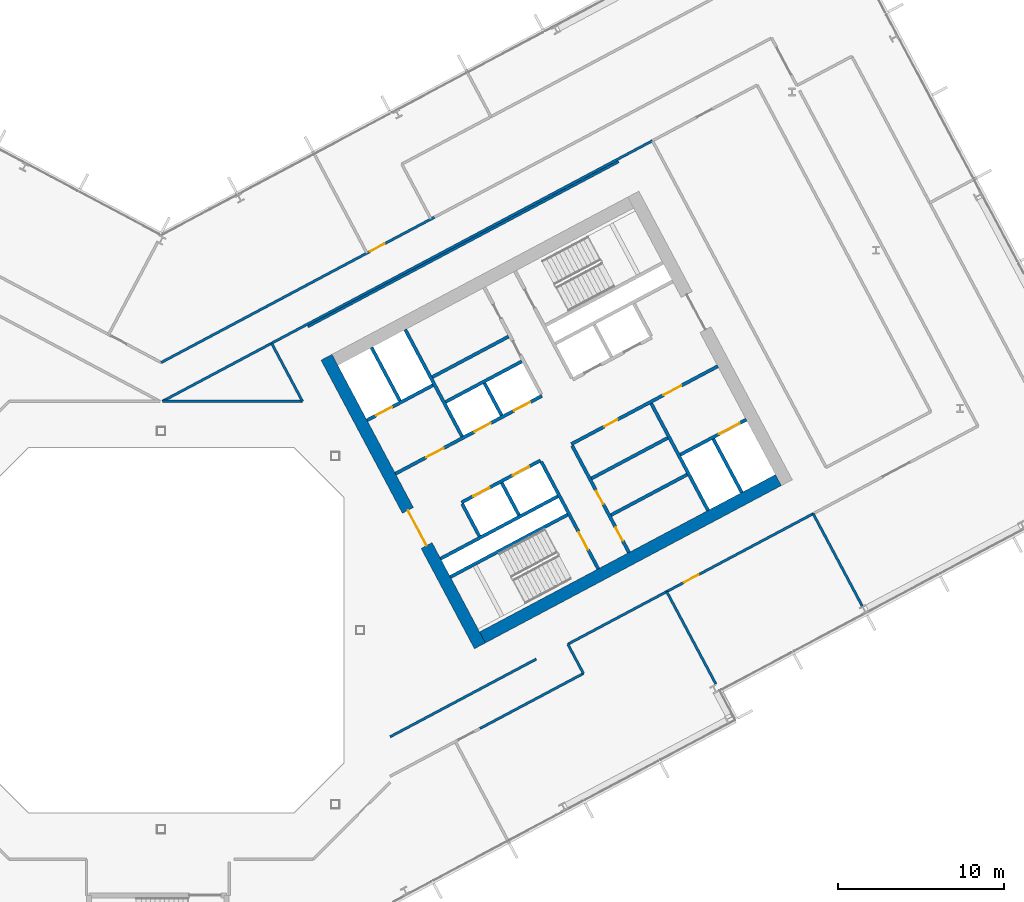
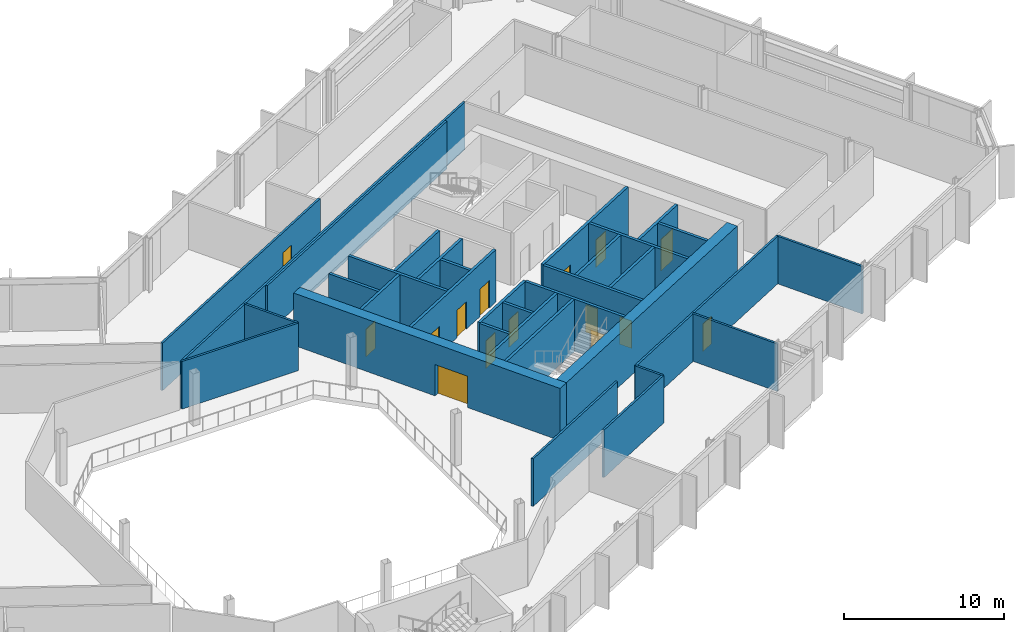
# One storey, part 16 of 28: 33 walls, 15 doors, 15 openings.
"""IFC4 building model written with IfcOpenShell, lengths in metres."""

from ifc_helpers import new_model, si_unit, direction, frame, frame_2d, origin, place, context, subcontext, project, spatial, rectangle, extrude, material, layer, layer_set, type_object, element, fill, save


model = new_model("IFC4")

# Units and contexts
model_context = context("Model", 3, precision=1e-05, world=origin(), true_north=direction((0.0, 1.0)))
body_context = subcontext(model_context, "Body", "Model", "MODEL_VIEW")
ifc_project = project(units=[si_unit("LENGTHUNIT", "METRE"), si_unit("AREAUNIT", "SQUARE_METRE"), si_unit("VOLUMEUNIT", "CUBIC_METRE"), si_unit("PLANEANGLEUNIT", "RADIAN"), si_unit("MASSUNIT", "GRAM", prefix="KILO")], contexts=[model_context])

# Site, building, storey
site_placement = place(None, origin())
site = spatial("IfcSite", under=ifc_project, at=site_placement, CompositionType="ELEMENT")
building_placement = place(site_placement, origin())
building = spatial("IfcBuilding", under=site, at=building_placement, Name="Cormorant Relay Tower", CompositionType="ELEMENT")
storey_placement = place(building_placement, frame((0.0, 0.0, 138.199951171875)))
storey = spatial("IfcBuildingStorey", under=building, at=storey_placement, Name="L28", CompositionType="ELEMENT", Elevation=138.199951171875)

# Walls
ifc_material_1 = material(Name="Concrete 40 MPa", Category="concrete")
ifc_layer_1 = layer(ifc_material_1, 0.199951171875)
ifc_layer_set_1 = layer_set([ifc_layer_1], Name="Core internal wall 200")
wall_type_1 = type_object("IfcWallType", Name="Core internal wall 200", PredefinedType="SOLIDWALL", material=ifc_layer_set_1)
for number, where, z_axis, x_axis, name in (
    (1, (21.567626953125, 6.9375, 0.0), (0.0, 0.0, 1.0), (-0.469533832133, 0.882914480843, 0.0), "L28 core B shaft and room wall"),
    (2, (20.522216796875, 12.950439453125, 0.0), (0.0, 0.0, 1.0), (-0.469401318492, 0.882984938828, 0.0), "L28 core B shaft and room wall"),
):
    element("IfcWall", number, at=place(storey_placement, frame(where, z_axis=z_axis, x_axis=x_axis)), inside=storey, type_object=wall_type_1, Name=name, PredefinedType="SOLIDWALL", context=body_context, shape_type="SweptSolid", body=[
        extrude(rectangle(XDim=2.199951171875, YDim=0.199951171875, at=frame_2d((1.10009765625, 0.0))), origin(), (0.0, 0.0, 1.0), 4.0),
    ])
for number, where, z_axis, x_axis, name in (
    (3, (27.11474609375, 6.942138671875, 0.0), (0.0, 0.0, 1.0), (0.882934506056, 0.469496174655, 0.0), "L28 core B shaft and room wall"),
    (4, (16.3486328125, 15.26171875, 0.0), (0.0, 0.0, 1.0), (0.882953967957, 0.469459572775, 0.0), "L28 core B shaft and room wall"),
):
    element("IfcWall", number, at=place(storey_placement, frame(where, z_axis=z_axis, x_axis=x_axis)), inside=storey, type_object=wall_type_1, Name=name, PredefinedType="SOLIDWALL", context=body_context, shape_type="SweptSolid", body=[
        extrude(rectangle(XDim=5.199951171875, YDim=0.199951171875, at=frame_2d((2.60009765625, 0.0))), origin(), (0.0, 0.0, 1.0), 4.0),
    ])
ifc_material_2 = material(Name="Concrete 50 MPa", Category="concrete")
ifc_layer_2 = layer(ifc_material_2, 0.199951171875)
ifc_layer_set_2 = layer_set([ifc_layer_2], Name="Core shaft wall 200")
wall_type_2 = type_object("IfcWallType", Name="Core shaft wall 200", PredefinedType="SHEAR", material=ifc_layer_set_2)
wall_1_placement = place(storey_placement, frame((14.39404296875, 13.825927734375, 0.0), z_axis=(0.0, 0.0, 1.0), x_axis=(-0.469494272526, 0.882935517501, 0.0)))
element("IfcWall", 5, at=wall_1_placement, inside=storey, type_object=wall_type_2, Name="L28 core B shaft wall", PredefinedType="SHEAR", context=body_context, shape_type="SweptSolid", body=[
    extrude(rectangle(XDim=3.64990234375, YDim=0.199951171875, at=frame_2d((1.824951171875, 0.0))), origin(), (0.0, 0.0, 1.0), 4.0),
])
wall_2_placement = place(storey_placement, frame((19.18359375, 5.669921875, 0.0), z_axis=(0.0, 0.0, 1.0), x_axis=(-0.4694473164, 0.882960484464, 0.0)))
element("IfcWall", 6, at=wall_2_placement, inside=storey, type_object=wall_type_2, Name="L28 core B shaft wall", PredefinedType="SHEAR", context=body_context, shape_type="SweptSolid", body=[
    extrude(rectangle(XDim=2.199951171875, YDim=0.199951171875, at=frame_2d((1.10009765625, 0.0))), origin(), (0.0, 0.0, 1.0), 4.0),
])
wall_3_placement = place(storey_placement, frame((18.138427734375, 11.682861328125, 0.0), z_axis=(0.0, 0.0, 1.0), x_axis=(-0.469480409012, 0.88294288918, 0.0)))
element("IfcWall", 7, at=wall_3_placement, inside=storey, type_object=wall_type_2, Name="L28 core B shaft wall", PredefinedType="SHEAR", context=body_context, shape_type="SweptSolid", body=[
    extrude(rectangle(XDim=7.300048828125, YDim=0.199951171875, at=frame_2d((3.64990234375, 0.0))), origin(), (0.0, 0.0, 1.0), 4.0),
])

# Wall, opening, door
wall_4_placement = place(storey_placement, frame((26.345947265625, 3.701904296875, 0.0), z_axis=(0.0, 0.0, 1.0), x_axis=(-0.469480409012, 0.88294288918, 0.0)))
wall_4 = element("IfcWall", 8, at=wall_4_placement, inside=storey, type_object=wall_type_2, Name="L28 core B shaft wall", PredefinedType="SHEAR", context=body_context, shape_type="SweptSolid", body=[
    extrude(rectangle(XDim=7.300048828125, YDim=0.199951171875, at=frame_2d((3.64990234375, 0.0))), origin(), (0.0, 0.0, 1.0), 4.0),
])
opening_1_placement = place(wall_4_placement, frame((1.300048828125, 0.0, 0.0)))
opening_1 = element("IfcOpeningElement", 9, at=opening_1_placement, cuts=wall_4, Name="Opening CDB-036", PredefinedType="OPENING", context=body_context, shape_type="SweptSolid", body=[
    extrude(rectangle(XDim=1.199951171875, YDim=2.10009765625, at=frame_2d((0.60009765625, 1.050048828125))), frame((0.0, 0.10986328125, 0.0), z_axis=(0.0, -1.0, 0.0), x_axis=(1.0, 0.0, 0.0)), (0.0, 0.0, 1.0), 0.219970703125),
])
ifc_material_3 = material(Name="Steel fire door", Category="steel")
door_type_1 = type_object("IfcDoorType", Name="Core stair door 1200x2100", OperationType="SINGLE_SWING_LEFT", PredefinedType="DOOR", material=ifc_material_3)
door_1_placement = place(opening_1_placement, origin())
door_1 = element("IfcDoor", 10, at=door_1_placement, inside=storey, type_object=door_type_1, Name="Core stair door 1200x2100", OperationType="SINGLE_SWING_RIGHT", OverallHeight=2.10009765625, OverallWidth=1.199951171875, PredefinedType="DOOR", context=body_context, shape_type="SweptSolid", body=[
    extrude(rectangle(XDim=1.199951171875, YDim=2.10009765625, at=frame_2d((0.60009765625, 1.050048828125))), frame((0.0, 0.02490234375, 0.0), z_axis=(0.0, -1.0, 0.0), x_axis=(1.0, 0.0, 0.0)), (0.0, 0.0, 1.0), 0.050048828125),
])
fill(opening_1, door_1)

# Wall, openings, doors
wall_5_placement = place(storey_placement, frame((28.199951171875, 4.687744140625, 0.0), z_axis=(0.0, 0.0, 1.0), x_axis=(-0.469454336211, 0.882956752176, 0.0)))
wall_5 = element("IfcWall", 11, at=wall_5_placement, inside=storey, type_object=wall_type_2, Name="L28 core B shaft wall", PredefinedType="SHEAR", context=body_context, shape_type="SweptSolid", body=[
    extrude(rectangle(XDim=7.300048828125, YDim=0.199951171875, at=frame_2d((3.64990234375, 0.0))), origin(), (0.0, 0.0, 1.0), 4.0),
])
opening_2_placement = place(wall_5_placement, frame((0.800048828125, 0.0, 0.0)))
opening_2 = element("IfcOpeningElement", 12, at=opening_2_placement, cuts=wall_5, Name="Opening CDD-194", PredefinedType="OPENING", context=body_context, shape_type="SweptSolid", body=[
    extrude(rectangle(XDim=0.89990234375, YDim=2.10009765625, at=frame_2d((0.449951171875, 1.050048828125))), frame((0.0, 0.10986328125, 0.0), z_axis=(0.0, -1.0, 0.0), x_axis=(1.0, 0.0, 0.0)), (0.0, 0.0, 1.0), 0.219970703125),
])
opening_3_placement = place(wall_5_placement, frame((3.300048828125, 0.0, 0.0)))
opening_3 = element("IfcOpeningElement", 13, at=opening_3_placement, cuts=wall_5, Name="Opening CDD-195", PredefinedType="OPENING", context=body_context, shape_type="SweptSolid", body=[
    extrude(rectangle(XDim=0.89990234375, YDim=2.10009765625, at=frame_2d((0.449951171875, 1.050048828125))), frame((0.0, 0.10986328125, 0.0), z_axis=(0.0, -1.0, 0.0), x_axis=(1.0, 0.0, 0.0)), (0.0, 0.0, 1.0), 0.219970703125),
])
ifc_material_4 = material(Name="Steel fire door", Category="steel")
door_type_2 = type_object("IfcDoorType", Name="Core room door 900x2100", OperationType="SINGLE_SWING_LEFT", PredefinedType="DOOR", material=ifc_material_4)
door_2_placement = place(opening_2_placement, frame((0.89990234375, 0.0, 0.0), z_axis=(0.0, 0.0, 1.0), x_axis=(-1.0, 0.0, 0.0)))
door_2 = element("IfcDoor", 14, at=door_2_placement, inside=storey, type_object=door_type_2, Name="Core room door 900x2100", OperationType="SINGLE_SWING_LEFT", OverallHeight=2.10009765625, OverallWidth=0.89990234375, PredefinedType="DOOR", context=body_context, shape_type="SweptSolid", body=[
    extrude(rectangle(XDim=0.89990234375, YDim=2.10009765625, at=frame_2d((0.449951171875, 1.050048828125))), frame((0.0, 0.02490234375, 0.0), z_axis=(0.0, -1.0, 0.0), x_axis=(1.0, 0.0, 0.0)), (0.0, 0.0, 1.0), 0.050048828125),
])
fill(opening_2, door_2)
door_3_placement = place(opening_3_placement, frame((0.89990234375, 0.0, 0.0), z_axis=(0.0, 0.0, 1.0), x_axis=(-1.0, 0.0, 0.0)))
door_3 = element("IfcDoor", 15, at=door_3_placement, inside=storey, type_object=door_type_2, Name="Core room door 900x2100", OperationType="SINGLE_SWING_LEFT", OverallHeight=2.10009765625, OverallWidth=0.89990234375, PredefinedType="DOOR", context=body_context, shape_type="SweptSolid", body=[
    extrude(rectangle(XDim=0.89990234375, YDim=2.10009765625, at=frame_2d((0.449951171875, 1.050048828125))), frame((0.0, 0.02490234375, 0.0), z_axis=(0.0, -1.0, 0.0), x_axis=(1.0, 0.0, 0.0)), (0.0, 0.0, 1.0), 0.050048828125),
])
fill(opening_3, door_3)

# Walls
wall_6_placement = place(storey_placement, frame((32.968017578125, 7.222900390625, 0.0), z_axis=(0.0, 0.0, 1.0), x_axis=(-0.469480409012, 0.88294288918, 0.0)))
element("IfcWall", 16, at=wall_6_placement, inside=storey, type_object=wall_type_2, Name="L28 core B shaft wall", PredefinedType="SHEAR", context=body_context, shape_type="SweptSolid", body=[
    extrude(rectangle(XDim=7.300048828125, YDim=0.199951171875, at=frame_2d((3.64990234375, 0.0))), origin(), (0.0, 0.0, 1.0), 4.0),
])
wall_7_placement = place(storey_placement, frame((34.998779296875, 8.302734375, 0.0), z_axis=(0.0, 0.0, 1.0), x_axis=(-0.4694665462, 0.882950260207, 0.0)))
element("IfcWall", 17, at=wall_7_placement, inside=storey, type_object=wall_type_2, Name="L28 core B shaft wall", PredefinedType="SHEAR", context=body_context, shape_type="SweptSolid", body=[
    extrude(rectangle(XDim=3.650146484375, YDim=0.199951171875, at=frame_2d((1.8251953125, 0.0))), origin(), (0.0, 0.0, 1.0), 4.0),
])
wall_8_placement = place(storey_placement, frame((17.43359375, 3.210205078125, 0.0), z_axis=(0.0, 0.0, 1.0), x_axis=(0.882940221191, 0.469485426614, 0.0)))
element("IfcWall", 18, at=wall_8_placement, inside=storey, type_object=wall_type_2, Name="L28 core B shaft wall", PredefinedType="SHEAR", context=body_context, shape_type="SweptSolid", body=[
    extrude(rectangle(XDim=8.0, YDim=0.199951171875, at=frame_2d((4.0, 0.0))), origin(), (0.0, 0.0, 1.0), 4.0),
])

# Wall, opening, door
wall_9_placement = place(storey_placement, frame((31.295654296875, 10.5810546875, 0.0), z_axis=(0.0, 0.0, 1.0), x_axis=(0.882960433586, 0.469447412093, 0.0)))
wall_9 = element("IfcWall", 19, at=wall_9_placement, inside=storey, type_object=wall_type_2, Name="L28 core B shaft wall", PredefinedType="SHEAR", context=body_context, shape_type="SweptSolid", body=[
    extrude(rectangle(XDim=4.5, YDim=0.199951171875, at=frame_2d((2.25, 0.0))), origin(), (0.0, 0.0, 1.0), 4.0),
])
opening_4_placement = place(wall_9_placement, frame((2.64990234375, 0.0, 0.0)))
opening_4 = element("IfcOpeningElement", 20, at=opening_4_placement, cuts=wall_9, Name="Opening LD3-014", PredefinedType="OPENING", context=body_context, shape_type="SweptSolid", body=[
    extrude(rectangle(XDim=1.39990234375, YDim=2.39990234375, at=frame_2d((0.699951171875, 1.199951171875))), frame((0.0, 0.10986328125, 0.0), z_axis=(0.0, -1.0, 0.0), x_axis=(1.0, 0.0, 0.0)), (0.0, 0.0, 1.0), 0.219970703125),
])
ifc_material_5 = material(Name="Stainless steel 316", Category="steel")
door_type_3 = type_object("IfcDoorType", Name="Lift landing door 1400x2400", OperationType="DOUBLE_DOOR_SLIDING", PredefinedType="DOOR", material=ifc_material_5)
door_4_placement = place(opening_4_placement, origin())
door_4 = element("IfcDoor", 21, at=door_4_placement, inside=storey, type_object=door_type_3, Name="SV2 landing door", OperationType="DOUBLE_DOOR_SLIDING", OverallHeight=2.39990234375, OverallWidth=1.39990234375, PredefinedType="DOOR", context=body_context, shape_type="SweptSolid", body=[
    extrude(rectangle(XDim=1.39990234375, YDim=2.39990234375, at=frame_2d((0.699951171875, 1.199951171875))), frame((0.0, 0.02490234375, 0.0), z_axis=(0.0, -1.0, 0.0), x_axis=(1.0, 0.0, 0.0)), (0.0, 0.0, 1.0), 0.050048828125),
])
fill(opening_4, door_4)

# Walls
wall_10_placement = place(storey_placement, frame((16.8466796875, 4.31396484375, 0.0), z_axis=(0.0, 0.0, 1.0), x_axis=(0.882940221191, 0.469485426614, 0.0)))
element("IfcWall", 22, at=wall_10_placement, inside=storey, type_object=wall_type_2, Name="L28 core B shaft wall", PredefinedType="SHEAR", context=body_context, shape_type="SweptSolid", body=[
    extrude(rectangle(XDim=8.0, YDim=0.199951171875, at=frame_2d((4.0, 0.0))), origin(), (0.0, 0.0, 1.0), 4.0),
])
wall_11_placement = place(storey_placement, frame((25.94091796875, 9.149658203125, 0.0), z_axis=(0.0, 0.0, 1.0), x_axis=(0.882953967957, 0.469459572775, 0.0)))
element("IfcWall", 23, at=wall_11_placement, inside=storey, type_object=wall_type_2, Name="L28 core B shaft wall", PredefinedType="SHEAR", context=body_context, shape_type="SweptSolid", body=[
    extrude(rectangle(XDim=5.199951171875, YDim=0.199951171875, at=frame_2d((2.60009765625, 0.0))), origin(), (0.0, 0.0, 1.0), 4.0),
])

# Wall, openings, doors
wall_12_placement = place(storey_placement, frame((18.103759765625, 7.70068359375, 0.0), z_axis=(0.0, 0.0, 1.0), x_axis=(0.882952937579, 0.469461510692, 0.0)))
wall_12 = element("IfcWall", 24, at=wall_12_placement, inside=storey, type_object=wall_type_2, Name="L28 core B shaft wall", PredefinedType="SHEAR", context=body_context, shape_type="SweptSolid", body=[
    extrude(rectangle(XDim=5.400146484375, YDim=0.199951171875, at=frame_2d((2.7001953125, 0.0))), origin(), (0.0, 0.0, 1.0), 4.0),
])
opening_5_placement = place(wall_12_placement, frame((0.800048828125, 0.0, 0.0)))
opening_5 = element("IfcOpeningElement", 25, at=opening_5_placement, cuts=wall_12, Name="Opening LD1-048", PredefinedType="OPENING", context=body_context, shape_type="SweptSolid", body=[
    extrude(rectangle(XDim=1.10009765625, YDim=2.10009765625, at=frame_2d((0.550048828125, 1.050048828125))), frame((0.0, 0.10986328125, 0.0), z_axis=(0.0, -1.0, 0.0), x_axis=(1.0, 0.0, 0.0)), (0.0, 0.0, 1.0), 0.219970703125),
])
opening_6_placement = place(wall_12_placement, frame((3.5, 0.0, 0.0)))
opening_6 = element("IfcOpeningElement", 26, at=opening_6_placement, cuts=wall_12, Name="Opening LD1-049", PredefinedType="OPENING", context=body_context, shape_type="SweptSolid", body=[
    extrude(rectangle(XDim=1.10009765625, YDim=2.10009765625, at=frame_2d((0.550048828125, 1.050048828125))), frame((0.0, 0.10986328125, 0.0), z_axis=(0.0, -1.0, 0.0), x_axis=(1.0, 0.0, 0.0)), (0.0, 0.0, 1.0), 0.219970703125),
])
ifc_material_6 = material(Name="Stainless steel 316", Category="steel")
door_type_4 = type_object("IfcDoorType", Name="Lift landing door 1100x2100", OperationType="DOUBLE_DOOR_SLIDING", PredefinedType="DOOR", material=ifc_material_6)
door_5_placement = place(opening_5_placement, origin())
door_5 = element("IfcDoor", 27, at=door_5_placement, inside=storey, type_object=door_type_4, Name="LR5 landing door", OperationType="DOUBLE_DOOR_SLIDING", OverallHeight=2.10009765625, OverallWidth=1.10009765625, PredefinedType="DOOR", context=body_context, shape_type="SweptSolid", body=[
    extrude(rectangle(XDim=1.10009765625, YDim=2.10009765625, at=frame_2d((0.550048828125, 1.050048828125))), frame((0.0, 0.02490234375, 0.0), z_axis=(0.0, -1.0, 0.0), x_axis=(1.0, 0.0, 0.0)), (0.0, 0.0, 1.0), 0.050048828125),
])
fill(opening_5, door_5)
door_6_placement = place(opening_6_placement, origin())
door_6 = element("IfcDoor", 28, at=door_6_placement, inside=storey, type_object=door_type_4, Name="LR6 landing door", OperationType="DOUBLE_DOOR_SLIDING", OverallHeight=2.10009765625, OverallWidth=1.10009765625, PredefinedType="DOOR", context=body_context, shape_type="SweptSolid", body=[
    extrude(rectangle(XDim=1.10009765625, YDim=2.10009765625, at=frame_2d((0.550048828125, 1.050048828125))), frame((0.0, 0.02490234375, 0.0), z_axis=(0.0, -1.0, 0.0), x_axis=(1.0, 0.0, 0.0)), (0.0, 0.0, 1.0), 0.050048828125),
])
fill(opening_6, door_6)

wall_13_placement = place(storey_placement, frame((24.72607421875, 11.2216796875, 0.0), z_axis=(0.0, 0.0, 1.0), x_axis=(0.882940221191, 0.469485426614, 0.0)))
wall_13 = element("IfcWall", 29, at=wall_13_placement, inside=storey, type_object=wall_type_2, Name="L28 core B shaft wall", PredefinedType="SHEAR", context=body_context, shape_type="SweptSolid", body=[
    extrude(rectangle(XDim=10.0, YDim=0.199951171875, at=frame_2d((5.0, 0.0))), origin(), (0.0, 0.0, 1.0), 4.0),
])
opening_7_placement = place(wall_13_placement, frame((6.300048828125, 0.0, 0.0)))
opening_7 = element("IfcOpeningElement", 30, at=opening_7_placement, cuts=wall_13, Name="Opening CDC-030", PredefinedType="OPENING", context=body_context, shape_type="SweptSolid", body=[
    extrude(rectangle(XDim=1.199951171875, YDim=2.10009765625, at=frame_2d((0.60009765625, 1.050048828125))), frame((0.0, 0.10986328125, 0.0), z_axis=(0.0, -1.0, 0.0), x_axis=(1.0, 0.0, 0.0)), (0.0, 0.0, 1.0), 0.219970703125),
])
opening_8_placement = place(wall_13_placement, frame((2.25, 0.0, 0.0)))
opening_8 = element("IfcOpeningElement", 31, at=opening_8_placement, cuts=wall_13, Name="Opening CDD-191", PredefinedType="OPENING", context=body_context, shape_type="SweptSolid", body=[
    extrude(rectangle(XDim=0.89990234375, YDim=2.10009765625, at=frame_2d((0.449951171875, 1.050048828125))), frame((0.0, 0.10986328125, 0.0), z_axis=(0.0, -1.0, 0.0), x_axis=(1.0, 0.0, 0.0)), (0.0, 0.0, 1.0), 0.219970703125),
])
ifc_material_7 = material(Name="Steel fire door", Category="steel")
door_type_5 = type_object("IfcDoorType", Name="Core lobby door 1200x2100", OperationType="SINGLE_SWING_LEFT", PredefinedType="DOOR", material=ifc_material_7)
door_7_placement = place(opening_7_placement, origin())
door_7 = element("IfcDoor", 32, at=door_7_placement, inside=storey, type_object=door_type_5, Name="Core lobby door 1200x2100", OperationType="SINGLE_SWING_LEFT", OverallHeight=2.10009765625, OverallWidth=1.199951171875, PredefinedType="DOOR", context=body_context, shape_type="SweptSolid", body=[
    extrude(rectangle(XDim=1.199951171875, YDim=2.10009765625, at=frame_2d((0.60009765625, 1.050048828125))), frame((0.0, 0.02490234375, 0.0), z_axis=(0.0, -1.0, 0.0), x_axis=(1.0, 0.0, 0.0)), (0.0, 0.0, 1.0), 0.050048828125),
])
fill(opening_7, door_7)
door_8_placement = place(opening_8_placement, origin())
door_8 = element("IfcDoor", 33, at=door_8_placement, inside=storey, type_object=door_type_2, Name="Core room door 900x2100", OperationType="SINGLE_SWING_LEFT", OverallHeight=2.10009765625, OverallWidth=0.89990234375, PredefinedType="DOOR", context=body_context, shape_type="SweptSolid", body=[
    extrude(rectangle(XDim=0.89990234375, YDim=2.10009765625, at=frame_2d((0.449951171875, 1.050048828125))), frame((0.0, 0.02490234375, 0.0), z_axis=(0.0, -1.0, 0.0), x_axis=(1.0, 0.0, 0.0)), (0.0, 0.0, 1.0), 0.050048828125),
])
fill(opening_8, door_8)

wall_14_placement = place(storey_placement, frame((14.123779296875, 9.43505859375, 0.0), z_axis=(0.0, 0.0, 1.0), x_axis=(0.882940221191, 0.469485426614, 0.0)))
wall_14 = element("IfcWall", 34, at=wall_14_placement, inside=storey, type_object=wall_type_2, Name="L28 core B shaft wall", PredefinedType="SHEAR", context=body_context, shape_type="SweptSolid", body=[
    extrude(rectangle(XDim=10.0, YDim=0.199951171875, at=frame_2d((5.0, 0.0))), origin(), (0.0, 0.0, 1.0), 4.0),
])
opening_9_placement = place(wall_14_placement, frame((2.10009765625, 0.0, 0.0)))
opening_9 = element("IfcOpeningElement", 35, at=opening_9_placement, cuts=wall_14, Name="Opening CDC-027", PredefinedType="OPENING", context=body_context, shape_type="SweptSolid", body=[
    extrude(rectangle(XDim=1.199951171875, YDim=2.10009765625, at=frame_2d((0.60009765625, 1.050048828125))), frame((0.0, 0.10986328125, 0.0), z_axis=(0.0, -1.0, 0.0), x_axis=(1.0, 0.0, 0.0)), (0.0, 0.0, 1.0), 0.219970703125),
])
opening_10_placement = place(wall_14_placement, frame((5.39990234375, 0.0, 0.0)))
opening_10 = element("IfcOpeningElement", 36, at=opening_10_placement, cuts=wall_14, Name="Opening LD1-044", PredefinedType="OPENING", context=body_context, shape_type="SweptSolid", body=[
    extrude(rectangle(XDim=1.10009765625, YDim=2.10009765625, at=frame_2d((0.550048828125, 1.050048828125))), frame((0.0, 0.10986328125, 0.0), z_axis=(0.0, -1.0, 0.0), x_axis=(1.0, 0.0, 0.0)), (0.0, 0.0, 1.0), 0.219970703125),
])
opening_11_placement = place(wall_14_placement, frame((8.10009765625, 0.0, 0.0)))
opening_11 = element("IfcOpeningElement", 37, at=opening_11_placement, cuts=wall_14, Name="Opening LD1-045", PredefinedType="OPENING", context=body_context, shape_type="SweptSolid", body=[
    extrude(rectangle(XDim=1.10009765625, YDim=2.10009765625, at=frame_2d((0.550048828125, 1.050048828125))), frame((0.0, 0.10986328125, 0.0), z_axis=(0.0, -1.0, 0.0), x_axis=(1.0, 0.0, 0.0)), (0.0, 0.0, 1.0), 0.219970703125),
])
door_9_placement = place(opening_9_placement, origin())
door_9 = element("IfcDoor", 38, at=door_9_placement, inside=storey, type_object=door_type_5, Name="Core lobby door 1200x2100", OperationType="SINGLE_SWING_RIGHT", OverallHeight=2.10009765625, OverallWidth=1.199951171875, PredefinedType="DOOR", context=body_context, shape_type="SweptSolid", body=[
    extrude(rectangle(XDim=1.199951171875, YDim=2.10009765625, at=frame_2d((0.60009765625, 1.050048828125))), frame((0.0, 0.02490234375, 0.0), z_axis=(0.0, -1.0, 0.0), x_axis=(1.0, 0.0, 0.0)), (0.0, 0.0, 1.0), 0.050048828125),
])
fill(opening_9, door_9)
door_10_placement = place(opening_10_placement, origin())
door_10 = element("IfcDoor", 39, at=door_10_placement, inside=storey, type_object=door_type_4, Name="LR1 landing door", OperationType="DOUBLE_DOOR_SLIDING", OverallHeight=2.10009765625, OverallWidth=1.10009765625, PredefinedType="DOOR", context=body_context, shape_type="SweptSolid", body=[
    extrude(rectangle(XDim=1.10009765625, YDim=2.10009765625, at=frame_2d((0.550048828125, 1.050048828125))), frame((0.0, 0.02490234375, 0.0), z_axis=(0.0, -1.0, 0.0), x_axis=(1.0, 0.0, 0.0)), (0.0, 0.0, 1.0), 0.050048828125),
])
fill(opening_10, door_10)
door_11_placement = place(opening_11_placement, origin())
door_11 = element("IfcDoor", 40, at=door_11_placement, inside=storey, type_object=door_type_4, Name="LR2 landing door", OperationType="DOUBLE_DOOR_SLIDING", OverallHeight=2.10009765625, OverallWidth=1.10009765625, PredefinedType="DOOR", context=body_context, shape_type="SweptSolid", body=[
    extrude(rectangle(XDim=1.10009765625, YDim=2.10009765625, at=frame_2d((0.550048828125, 1.050048828125))), frame((0.0, 0.02490234375, 0.0), z_axis=(0.0, -1.0, 0.0), x_axis=(1.0, 0.0, 0.0)), (0.0, 0.0, 1.0), 0.050048828125),
])
fill(opening_11, door_11)

# Wall
wall_15_placement = place(storey_placement, frame((17.146728515625, 13.7607421875, 0.0), z_axis=(0.0, 0.0, 1.0), x_axis=(0.882964314875, 0.469440111896, 0.0)))
element("IfcWall", 41, at=wall_15_placement, inside=storey, type_object=wall_type_2, Name="L28 core B shaft wall", PredefinedType="SHEAR", context=body_context, shape_type="SweptSolid", body=[
    extrude(rectangle(XDim=5.2001953125, YDim=0.199951171875, at=frame_2d((2.60009765625, 0.0))), origin(), (0.0, 0.0, 1.0), 4.0),
])

# Wall, opening, door
wall_16_placement = place(storey_placement, frame((12.41015625, 12.657958984375, 0.0), z_axis=(0.0, 0.0, 1.0), x_axis=(0.8829484765, 0.469469900894, 0.0)))
wall_16 = element("IfcWall", 42, at=wall_16_placement, inside=storey, type_object=wall_type_2, Name="L28 core B shaft wall", PredefinedType="SHEAR", context=body_context, shape_type="SweptSolid", body=[
    extrude(rectangle(XDim=4.499755859375, YDim=0.199951171875, at=frame_2d((2.25, 0.0))), origin(), (0.0, 0.0, 1.0), 4.0),
])
opening_12_placement = place(wall_16_placement, frame((0.60009765625, 0.0, 0.0)))
opening_12 = element("IfcOpeningElement", 43, at=opening_12_placement, cuts=wall_16, Name="Opening LD1-050", PredefinedType="OPENING", context=body_context, shape_type="SweptSolid", body=[
    extrude(rectangle(XDim=1.10009765625, YDim=2.10009765625, at=frame_2d((0.550048828125, 1.050048828125))), frame((0.0, 0.10986328125, 0.0), z_axis=(0.0, -1.0, 0.0), x_axis=(1.0, 0.0, 0.0)), (0.0, 0.0, 1.0), 0.219970703125),
])
door_12_placement = place(opening_12_placement, origin())
door_12 = element("IfcDoor", 44, at=door_12_placement, inside=storey, type_object=door_type_4, Name="FF2 landing door", OperationType="DOUBLE_DOOR_SLIDING", OverallHeight=2.10009765625, OverallWidth=1.10009765625, PredefinedType="DOOR", context=body_context, shape_type="SweptSolid", body=[
    extrude(rectangle(XDim=1.10009765625, YDim=2.10009765625, at=frame_2d((0.550048828125, 1.050048828125))), frame((0.0, 0.02490234375, 0.0), z_axis=(0.0, -1.0, 0.0), x_axis=(1.0, 0.0, 0.0)), (0.0, 0.0, 1.0), 0.050048828125),
])
fill(opening_12, door_12)

ifc_material_8 = material(Name="Concrete 60 MPa", Category="concrete")
ifc_layer_3 = layer(ifc_material_8, 0.75)
ifc_layer_set_3 = layer_set([ifc_layer_3], Name="Core wall 750")
wall_type_3 = type_object("IfcWallType", Name="Core wall 750", PredefinedType="SHEAR", material=ifc_layer_set_3)
wall_17_placement = place(storey_placement, frame((19.215087890625, -0.93896484375, 0.0), z_axis=(0.0, 0.0, 1.0), x_axis=(-0.469479580143, 0.882943329908, 0.0)))
wall_17 = element("IfcWall", 45, at=wall_17_placement, inside=storey, type_object=wall_type_3, Name="L28 core B wall", PredefinedType="SHEAR", context=body_context, shape_type="SweptSolid", body=[
    extrude(rectangle(XDim=19.699951171875, YDim=0.75, at=frame_2d((9.85009765625, 0.0))), origin(), (0.0, 0.0, 1.0), 4.0),
])
opening_13_placement = place(wall_17_placement, frame((6.85009765625, 0.0, 0.0)))
opening_13 = element("IfcOpeningElement", 46, at=opening_13_placement, cuts=wall_17, Name="Opening CDA-031", PredefinedType="OPENING", context=body_context, shape_type="SweptSolid", body=[
    extrude(rectangle(XDim=2.39990234375, YDim=2.39990234375, at=frame_2d((1.199951171875, 1.199951171875))), frame((0.0, 0.385009765625, 0.0), z_axis=(0.0, -1.0, 0.0), x_axis=(1.0, 0.0, 0.0)), (0.0, 0.0, 1.0), 0.77001953125),
])
ifc_material_9 = material(Name="Steel fire door", Category="steel")
door_type_6 = type_object("IfcDoorType", Name="Core lobby door 2400x2400", OperationType="DOUBLE_DOOR_SINGLE_SWING", PredefinedType="DOOR", material=ifc_material_9)
door_13_placement = place(opening_13_placement, origin())
door_13 = element("IfcDoor", 47, at=door_13_placement, inside=storey, type_object=door_type_6, Name="Core lobby door 2400x2400", OperationType="DOUBLE_DOOR_SINGLE_SWING", OverallHeight=2.39990234375, OverallWidth=2.39990234375, PredefinedType="DOOR", context=body_context, shape_type="SweptSolid", body=[
    extrude(rectangle(XDim=2.39990234375, YDim=2.39990234375, at=frame_2d((1.199951171875, 1.199951171875))), frame((0.0, 0.02490234375, 0.0), z_axis=(0.0, -1.0, 0.0), x_axis=(1.0, 0.0, 0.0)), (0.0, 0.0, 1.0), 0.050048828125),
])
fill(opening_13, door_13)

# Wall
wall_18_placement = place(storey_placement, frame((19.3701171875, -0.431884765625, 0.0), z_axis=(0.0, 0.0, 1.0), x_axis=(0.88294509198, 0.469476266226, 0.0)))
element("IfcWall", 48, at=wall_18_placement, inside=storey, type_object=wall_type_3, Name="L28 core B wall", PredefinedType="SHEAR", context=body_context, shape_type="SweptSolid", body=[
    extrude(rectangle(XDim=20.199951171875, YDim=0.75, at=frame_2d((10.10009765625, 0.0))), origin(), (0.0, 0.0, 1.0), 4.0),
])

# Wall, opening, door
ifc_material_10 = material(Name="Gypsum board fire partition")
ifc_layer_4 = layer(ifc_material_10, 0.14990234375)
ifc_layer_set_4 = layer_set([ifc_layer_4], Name="Corridor partition 150 EI 60")
wall_type_4 = type_object("IfcWallType", Name="Corridor partition 150 EI 60", PredefinedType="PARTITIONING", material=ifc_layer_set_4)
wall_19_placement = place(storey_placement, frame((0.0, 16.138916015625, 0.0), z_axis=(0.0, 0.0, 1.0), x_axis=(0.882958532279, 0.469450988151, 0.0)))
wall_19 = element("IfcWall", 49, at=wall_19_placement, inside=storey, type_object=wall_type_4, Name="wall/L28/part/041", PredefinedType="PARTITIONING", context=body_context, shape_type="SweptSolid", body=[
    extrude(rectangle(XDim=18.647705078125, YDim=0.14990234375, at=frame_2d((9.32373046875, 0.0))), origin(), (0.0, 0.0, 1.0), 3.64013671875),
])
opening_14_placement = place(wall_19_placement, frame((14.25, 0.0, 0.0)))
opening_14 = element("IfcOpeningElement", 50, at=opening_14_placement, cuts=wall_19, Name="Opening DS-021", PredefinedType="OPENING", context=body_context, shape_type="SweptSolid", body=[
    extrude(rectangle(XDim=1.0, YDim=2.10009765625, at=frame_2d((0.5, 1.050048828125))), frame((0.0, 0.0849609375, 0.0), z_axis=(0.0, -1.0, 0.0), x_axis=(1.0, 0.0, 0.0)), (0.0, 0.0, 1.0), 0.169921875),
])
ifc_material_11 = material(Name="Timber door leaf", Category="wood")
door_type_7 = type_object("IfcDoorType", Name="Suite door 1000x2100", OperationType="SINGLE_SWING_LEFT", PredefinedType="DOOR", material=ifc_material_11)
door_14_placement = place(opening_14_placement, origin())
door_14 = element("IfcDoor", 51, at=door_14_placement, inside=storey, type_object=door_type_7, Name="door/L28/008", OperationType="SINGLE_SWING_LEFT", OverallHeight=2.10009765625, OverallWidth=1.0, PredefinedType="DOOR", context=body_context, shape_type="SweptSolid", body=[
    extrude(rectangle(XDim=1.0, YDim=2.10009765625, at=frame_2d((0.5, 1.050048828125))), frame((0.0, 0.02490234375, 0.0), z_axis=(0.0, -1.0, 0.0), x_axis=(1.0, 0.0, 0.0)), (0.0, 0.0, 1.0), 0.050048828125),
])
fill(opening_14, door_14)

# Walls
wall_20_placement = place(storey_placement, frame((24.514892578125, -0.842041015625, 0.0), z_axis=(0.0, 0.0, 1.0), x_axis=(0.469509609091, -0.882927362228, 0.0)))
element("IfcWall", 52, at=wall_20_placement, inside=storey, type_object=wall_type_4, Name="wall/L28/part/063", PredefinedType="PARTITIONING", context=body_context, shape_type="SweptSolid", body=[
    extrude(rectangle(XDim=1.997802734375, YDim=0.14990234375, at=frame_2d((0.9990234375, 0.0))), origin(), (0.0, 0.0, 1.0), 3.64013671875),
])
wall_21_placement = place(storey_placement, frame((25.452880859375, -2.60595703125, 0.0), z_axis=(0.0, 0.0, 1.0), x_axis=(-0.882948296906, -0.469470238663, 0.0)))
element("IfcWall", 53, at=wall_21_placement, inside=storey, type_object=wall_type_4, Name="wall/L28/part/064", PredefinedType="PARTITIONING", context=body_context, shape_type="SweptSolid", body=[
    extrude(rectangle(XDim=7.063720703125, YDim=0.14990234375, at=frame_2d((3.53173828125, 0.0))), origin(), (0.0, 0.0, 1.0), 3.64013671875),
])

# Wall, opening, door
wall_22_placement = place(storey_placement, frame((39.321044921875, 7.033935546875, 0.0), z_axis=(0.0, 0.0, 1.0), x_axis=(-0.88292452231, -0.469514949605, 0.0)))
wall_22 = element("IfcWall", 54, at=wall_22_placement, inside=storey, type_object=wall_type_4, Name="wall/L28/part/068", PredefinedType="PARTITIONING", context=body_context, shape_type="SweptSolid", body=[
    extrude(rectangle(XDim=16.7705078125, YDim=0.14990234375, at=frame_2d((8.38525390625, 0.0))), origin(), (0.0, 0.0, 1.0), 3.64013671875),
])
opening_15_placement = place(wall_22_placement, frame((7.84912109375, 0.0, 0.0)))
opening_15 = element("IfcOpeningElement", 55, at=opening_15_placement, cuts=wall_22, Name="Opening DS-020", PredefinedType="OPENING", context=body_context, shape_type="SweptSolid", body=[
    extrude(rectangle(XDim=1.0, YDim=2.10009765625, at=frame_2d((0.5, 1.050048828125))), frame((0.0, 0.0849609375, 0.0), z_axis=(0.0, -1.0, 0.0), x_axis=(1.0, 0.0, 0.0)), (0.0, 0.0, 1.0), 0.169921875),
])
door_15_placement = place(opening_15_placement, origin())
door_15 = element("IfcDoor", 56, at=door_15_placement, inside=storey, type_object=door_type_7, Name="door/L28/005", OperationType="SINGLE_SWING_RIGHT", OverallHeight=2.10009765625, OverallWidth=1.0, PredefinedType="DOOR", context=body_context, shape_type="SweptSolid", body=[
    extrude(rectangle(XDim=1.0, YDim=2.10009765625, at=frame_2d((0.5, 1.050048828125))), frame((0.0, 0.02490234375, 0.0), z_axis=(0.0, -1.0, 0.0), x_axis=(1.0, 0.0, 0.0)), (0.0, 0.0, 1.0), 0.050048828125),
])
fill(opening_15, door_15)

# Walls
wall_23_placement = place(storey_placement, frame((29.614013671875, 29.507080078125, 0.0), z_axis=(0.0, 0.0, 1.0), x_axis=(-0.88294370404, -0.469478876518, 0.0)))
element("IfcWall", 57, at=wall_23_placement, inside=storey, type_object=wall_type_4, Name="wall/L28/part/072", PredefinedType="PARTITIONING", context=body_context, shape_type="SweptSolid", body=[
    extrude(rectangle(XDim=33.456298828125, YDim=0.14990234375, at=frame_2d((16.72802734375, 0.0))), origin(), (0.0, 0.0, 1.0), 3.64013671875),
])
wall_24_placement = place(storey_placement, frame((0.073974609375, 13.800048828125, 0.0), z_axis=(0.0, 0.0, 1.0), x_axis=(1.0, 0.0, 0.0)))
element("IfcWall", 58, at=wall_24_placement, inside=storey, type_object=wall_type_4, Name="wall/L28/part/073", PredefinedType="PARTITIONING", context=body_context, shape_type="SweptSolid", body=[
    extrude(rectangle(XDim=8.444091796875, YDim=0.14990234375, at=frame_2d((4.22216796875, 0.0))), origin(), (0.0, 0.0, 1.0), 3.64013671875),
])
wall_25_placement = place(storey_placement, frame((8.51806640625, 13.800048828125, 0.0), z_axis=(0.0, 0.0, 1.0), x_axis=(-0.469333422869, 0.883021029295, 0.0)))
element("IfcWall", 59, at=wall_25_placement, inside=storey, type_object=wall_type_4, Name="wall/L28/part/074", PredefinedType="PARTITIONING", context=body_context, shape_type="SweptSolid", body=[
    extrude(rectangle(XDim=3.93994140625, YDim=0.14990234375, at=frame_2d((1.969970703125, 0.0))), origin(), (0.0, 0.0, 1.0), 3.64013671875),
])
wall_26_placement = place(storey_placement, frame((8.840087890625, 18.2958984375, 0.0), z_axis=(0.0, 0.0, 1.0), x_axis=(0.883138072777, 0.469113146705, 0.0)))
element("IfcWall", 60, at=wall_26_placement, inside=storey, type_object=wall_type_4, Name="wall/L28/part/075", PredefinedType="PARTITIONING", context=body_context, shape_type="SweptSolid", body=[
    extrude(rectangle(XDim=21.210693359375, YDim=0.14990234375, at=frame_2d((10.60546875, 0.0))), origin(), (0.0, 0.0, 1.0), 3.64013671875),
])
wall_27_placement = place(storey_placement, frame((13.800048828125, -6.423095703125, 0.0), z_axis=(0.0, 0.0, 1.0), x_axis=(0.882944014424, 0.469478292782, 0.0)))
element("IfcWall", 61, at=wall_27_placement, inside=storey, type_object=wall_type_4, Name="wall/L28/part/084", PredefinedType="PARTITIONING", context=body_context, shape_type="SweptSolid", body=[
    extrude(rectangle(XDim=9.9814453125, YDim=0.14990234375, at=frame_2d((4.99072265625, 0.0))), origin(), (0.0, 0.0, 1.0), 3.64013671875),
])
ifc_material_12 = material(Name="Gypsum board partition")
ifc_layer_5 = layer(ifc_material_12, 0.14990234375)
ifc_layer_set_5 = layer_set([ifc_layer_5], Name="Tenant partition 150")
wall_type_5 = type_object("IfcWallType", Name="Tenant partition 150", PredefinedType="PARTITIONING", material=ifc_layer_set_5)
wall_28_placement = place(storey_placement, frame((30.47412109375, 2.3291015625, 0.0), z_axis=(0.0, 0.0, 1.0), x_axis=(0.469455518244, -0.882956123706, 0.0)))
element("IfcWall", 62, at=wall_28_placement, inside=storey, type_object=wall_type_5, Name="wall/L28/part/067", PredefinedType="PARTITIONING", context=body_context, shape_type="SweptSolid", body=[
    extrude(rectangle(XDim=6.30029296875, YDim=0.14990234375, at=frame_2d((3.150146484375, 0.0))), origin(), (0.0, 0.0, 1.0), 3.64013671875),
])
wall_29_placement = place(storey_placement, frame((39.302978515625, 7.02392578125, 0.0), z_axis=(0.0, 0.0, 1.0), x_axis=(0.469333338233, -0.88302107428, 0.0)))
element("IfcWall", 63, at=wall_29_placement, inside=storey, type_object=wall_type_5, Name="wall/L28/part/077", PredefinedType="PARTITIONING", context=body_context, shape_type="SweptSolid", body=[
    extrude(rectangle(XDim=6.3134765625, YDim=0.14990234375, at=frame_2d((3.15673828125, 0.0))), origin(), (0.0, 0.0, 1.0), 3.64013671875),
])

save(model, "model.ifc")
